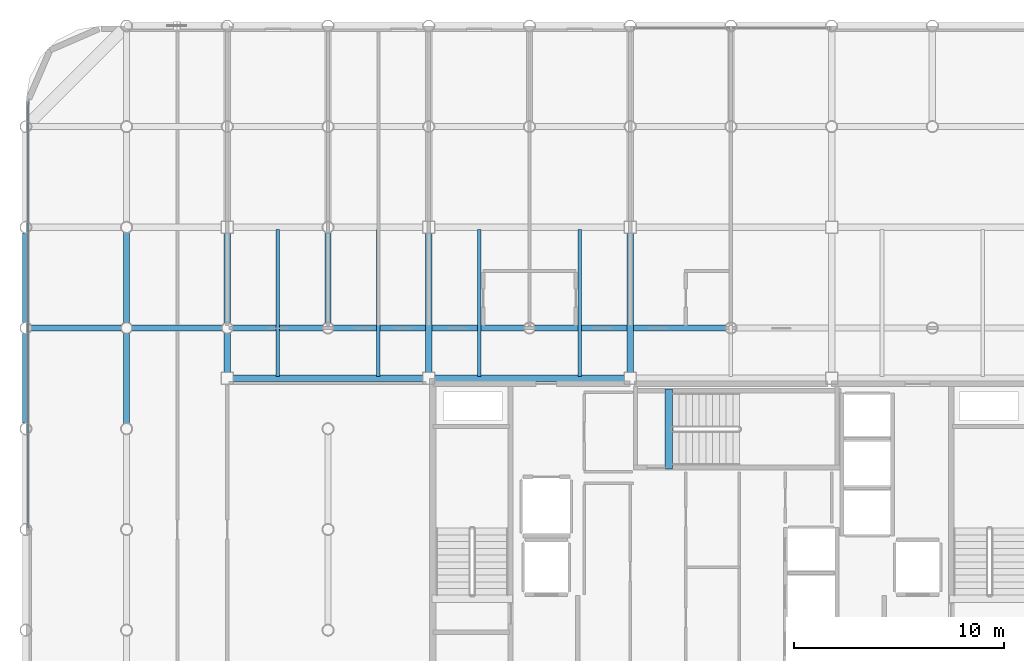
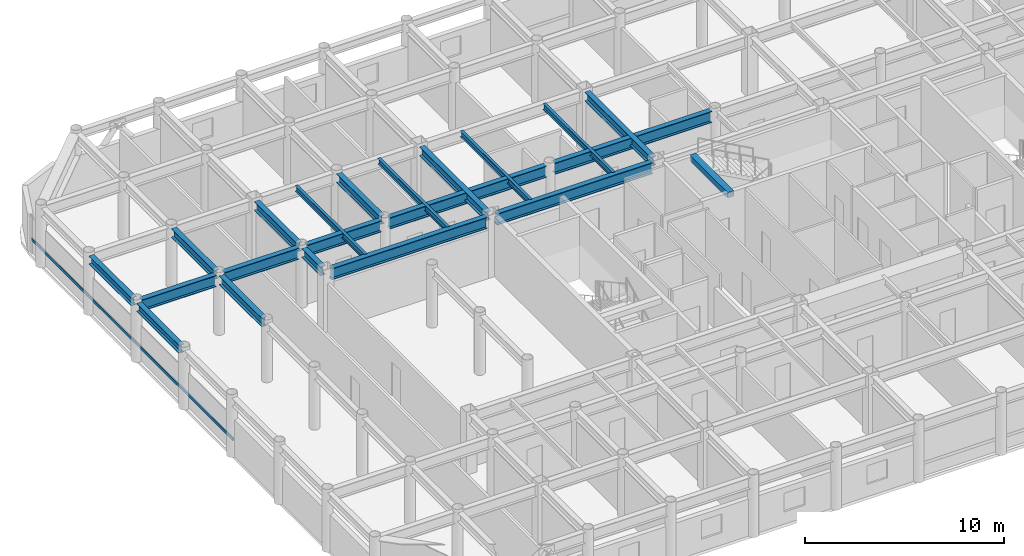
# One storey, part 7 of 22: 21 beams, 1 member, 1 element without a shape of its own.
"""IFC4 building model written with IfcOpenShell, lengths in metres."""

import ifcopenshell
import ifcopenshell.guid

model = None  # the IFC model being written
_history = None  # IfcOwnerHistory: only IFC2X3 demands one
_inside = {}  # id of a spatial element -> (the spatial element, [elements in it])
_under = {}  # id of a project, library or spatial element -> (it, [spatial elements below it])
_declared = {}  # id of a project -> (the project, [libraries it declares])
_typed = {}  # id of a type object -> (the type object, [elements of that type])
_made_of = {}  # id of a material, layer set ... -> (it, [elements and type objects made of it])


def new_model(schema):
    """Start an empty IFC model of exactly this schema.

    Asked for "IFC4X3", IfcOpenShell would pick the latest addendum, in which some entities
    have other attributes; the version numbers below select the first issue.
    IFC2X3 requires an IfcOwnerHistory on every rooted entity: one is made here for all.
    """
    global model, _history
    if schema == "IFC4X3":
        model = ifcopenshell.file(schema_version=(4, 3, 0, 0))
    else:
        model = ifcopenshell.file(schema=schema)
    _inside.clear()
    _under.clear()
    _declared.clear()
    _typed.clear()
    _made_of.clear()
    _history = None
    if model.schema == "IFC2X3":
        org = make("IfcOrganization", Name="unknown")
        user = make(
            "IfcPersonAndOrganization",
            ThePerson=make("IfcPerson", FamilyName="unknown"),
            TheOrganization=org,
        )
        app = make(
            "IfcApplication",
            ApplicationDeveloper=org,
            Version="unknown",
            ApplicationFullName="unknown",
            ApplicationIdentifier="unknown",
        )
        _history = make(
            "IfcOwnerHistory",
            OwningUser=user,
            OwningApplication=app,
            ChangeAction="ADDED",
            CreationDate=0,
        )
    return model


def make(cls, **values):
    """One entity of the class cls with the attributes given. An attribute that is None is left unset."""
    return model.create_entity(
        cls, **{name: value for name, value in values.items() if value is not None}
    )


def rooted(cls, **values):
    """An entity with a GlobalId (a new one), such as an element, a storey or a relation."""
    return make(cls, GlobalId=ifcopenshell.guid.new(), OwnerHistory=_history, **values)


def si_unit(unit_type, name, prefix=None):
    """IfcSIUnit, for example si_unit("LENGTHUNIT", "METRE", prefix="MILLI")."""
    return make("IfcSIUnit", UnitType=unit_type, Prefix=prefix, Name=name)


def assignment(units):
    """IfcUnitAssignment: the units of a project."""
    return None if units is None else make("IfcUnitAssignment", Units=units)


def point(xyz):
    """IfcCartesianPoint."""
    return None if xyz is None else make("IfcCartesianPoint", Coordinates=xyz)


def direction(xyz):
    """IfcDirection."""
    return None if xyz is None else make("IfcDirection", DirectionRatios=xyz)


def frame(location, z_axis=None, x_axis=None):
    """IfcAxis2Placement3D, a coordinate frame: its origin and axes. An axis left out is left unset."""
    return make(
        "IfcAxis2Placement3D",
        Location=point(location),
        Axis=direction(z_axis),
        RefDirection=direction(x_axis),
    )


def frame_2d(location, x_axis=None):
    """IfcAxis2Placement2D, a coordinate frame in the plane: its origin and x axis."""
    return make(
        "IfcAxis2Placement2D", Location=point(location), RefDirection=direction(x_axis)
    )


def origin():
    """The frame at (0, 0, 0) with its axes left unset."""
    return frame((0.0, 0.0, 0.0))


def origin_2d():
    """The frame at (0, 0) in the plane with its x axis left unset."""
    return frame_2d((0.0, 0.0))


def place(relative_to, where):
    """IfcLocalPlacement: puts the frame where relative to a parent placement (None: the world)."""
    return make(
        "IfcLocalPlacement", PlacementRelTo=relative_to, RelativePlacement=where
    )


def context(
    kind, dimensions, precision=None, world=None, true_north=None, identifier=None
):
    """IfcGeometricRepresentationContext, for example the 3D "Model" context."""
    return make(
        "IfcGeometricRepresentationContext",
        ContextIdentifier=identifier,
        ContextType=kind,
        CoordinateSpaceDimension=dimensions,
        Precision=precision,
        WorldCoordinateSystem=world,
        TrueNorth=true_north,
    )


def subcontext(parent, identifier, kind, view, scale=None):
    """IfcGeometricRepresentationSubContext, for example "Body" below "Model"."""
    return make(
        "IfcGeometricRepresentationSubContext",
        ContextIdentifier=identifier,
        ContextType=kind,
        ParentContext=parent,
        TargetScale=scale,
        TargetView=view,
    )


def project(units=None, contexts=None):
    """IfcProject with its units and contexts."""
    return rooted(
        "IfcProject",
        Name="project",
        RepresentationContexts=contexts,
        UnitsInContext=assignment(units),
    )


def spatial(cls, under=None, at=None, **own):
    """A site, building, storey or space (cls), placed at a placement, below another one or the project."""
    s = rooted(cls, ObjectPlacement=at, **own)
    if under is not None:
        _under.setdefault(under.id(), (under, []))[1].append(s)
    return s


def profile(cls, at=None, kind="AREA", **sizes):
    """A parametric profile (cls). Its sizes go by their IFC names, for example OverallWidth=200.0."""
    return make(cls, ProfileType=kind, Position=at, **sizes)


def rectangle(**sizes):
    """IfcRectangleProfileDef."""
    return profile("IfcRectangleProfileDef", **sizes)


def hollow_rectangle(**sizes):
    """IfcRectangleHollowProfileDef."""
    return profile("IfcRectangleHollowProfileDef", **sizes)


def i_section(**sizes):
    """IfcIShapeProfileDef."""
    return profile("IfcIShapeProfileDef", **sizes)


def extrude(swept, where, along, depth):
    """IfcExtrudedAreaSolid: the profile swept, set in the frame where, extruded along a direction by depth."""
    return make(
        "IfcExtrudedAreaSolid",
        SweptArea=swept,
        Position=where,
        ExtrudedDirection=direction(along),
        Depth=depth,
    )


def shape(context_of_items, identifier, shape_type, items):
    """IfcShapeRepresentation: the items that make up one representation, for example the "Body"."""
    return make(
        "IfcShapeRepresentation",
        ContextOfItems=context_of_items,
        RepresentationIdentifier=identifier,
        RepresentationType=shape_type,
        Items=items,
    )


def material(Name=None, Category=None):
    """IfcMaterial."""
    return make("IfcMaterial", Name=Name, Category=Category)


def layer(
    of_material, thickness, ventilated=None, Name=None, Category=None, Priority=None
):
    """IfcMaterialLayer: one layer of a wall or slab, of a material (None: an air gap)."""
    return make(
        "IfcMaterialLayer",
        Material=of_material,
        LayerThickness=thickness,
        IsVentilated=ventilated,
        Name=Name,
        Category=Category,
        Priority=Priority,
    )


def layer_set(layers, Name=None):
    """IfcMaterialLayerSet."""
    return make("IfcMaterialLayerSet", MaterialLayers=layers, LayerSetName=Name)


def material_profile(
    of_material, cross_section, Name=None, Category=None, Priority=None
):
    """IfcMaterialProfile: a cross section and its material."""
    return make(
        "IfcMaterialProfile",
        Name=Name,
        Material=of_material,
        Profile=cross_section,
        Priority=Priority,
        Category=Category,
    )


def profile_set(profiles, Name=None, composite=None):
    """IfcMaterialProfileSet."""
    return make(
        "IfcMaterialProfileSet",
        Name=Name,
        MaterialProfiles=profiles,
        CompositeProfile=composite,
    )


def made_of(thing, what):
    """Note that an element or type object is made of a material, layer set ...; save() writes the relation."""
    if what is not None:
        _made_of.setdefault(what.id(), (what, []))[1].append(thing)
    return thing


def type_object(cls, material=None, **own):
    """A type object (cls), such as IfcWallType, which elements share."""
    return made_of(rooted(cls, **own), material)


def element(
    cls,
    number,
    at=None,
    inside=None,
    cuts=None,
    type_object=None,
    material=None,
    context=None,
    identifier="Body",
    shape_type=None,
    held_by="IfcProductDefinitionShape",
    body=None,
    shapes=None,
    **own,
):
    """One element of the class cls, such as IfcWall. Its Tag is "e" and its number.

    at: its placement. inside: the storey or other place that contains it. cuts: it is an
    opening in that element (IfcRelVoidsElement). A single representation is given by context,
    identifier, shape_type and body (its items); several are given by shapes. held_by: the class
    of the entity that holds the representations. save() writes the other relations.
    """
    e = rooted(cls, Tag="e%d" % number, ObjectPlacement=at, **own)
    if body is not None:
        shapes = [shape(context, identifier, shape_type, body)]
    if shapes is not None:
        e.Representation = make(held_by, Representations=shapes)
    if inside is not None:
        _inside.setdefault(inside.id(), (inside, []))[1].append(e)
    if cuts is not None:
        rooted(
            "IfcRelVoidsElement", RelatingBuildingElement=cuts, RelatedOpeningElement=e
        )
    if type_object is not None:
        _typed.setdefault(type_object.id(), (type_object, []))[1].append(e)
    return made_of(e, material)


def aggregate(whole, parts):
    """IfcRelAggregates: a whole, such as a stair, and the parts it consists of."""
    return rooted("IfcRelAggregates", RelatingObject=whole, RelatedObjects=parts)


def save(model, path):
    """Write the relations noted so far, then the file.

    IfcRelAggregates (storeys below a building ...), IfcRelContainedInSpatialStructure (elements
    in a storey), IfcRelDefinesByType, IfcRelAssociatesMaterial and IfcRelDeclares: one each for
    every whole, place, type object, material and project.
    """
    for whole, parts in _under.values():
        aggregate(whole, parts)
    for where, things in _inside.values():
        rooted(
            "IfcRelContainedInSpatialStructure",
            RelatedElements=things,
            RelatingStructure=where,
        )
    for kind, things in _typed.values():
        rooted("IfcRelDefinesByType", RelatedObjects=things, RelatingType=kind)
    for what, things in _made_of.values():
        rooted("IfcRelAssociatesMaterial", RelatedObjects=things, RelatingMaterial=what)
    for by, libraries in _declared.values():
        rooted("IfcRelDeclares", RelatingContext=by, RelatedDefinitions=libraries)
    model.write(path)


model = new_model("IFC4")

# Units and contexts
model_context = context("Model", 3, precision=1e-05, world=origin(), true_north=direction((0.0, 1.0)))
body_context = subcontext(model_context, "Body", "Model", "MODEL_VIEW")
ifc_project = project(units=[si_unit("LENGTHUNIT", "METRE"), si_unit("AREAUNIT", "SQUARE_METRE"), si_unit("VOLUMEUNIT", "CUBIC_METRE"), si_unit("PLANEANGLEUNIT", "RADIAN"), si_unit("MASSUNIT", "GRAM", prefix="KILO")], contexts=[model_context])

# Site, building, storey
site_placement = place(None, origin())
site = spatial("IfcSite", under=ifc_project, at=site_placement, CompositionType="ELEMENT")
building_placement = place(site_placement, origin())
building = spatial("IfcBuilding", under=site, at=building_placement, Name="Kallvorn Hotel Tower", CompositionType="ELEMENT")
storey_placement = place(building_placement, frame((0.0, 0.0, 256.949951171875)))
storey = spatial("IfcBuildingStorey", under=building, at=storey_placement, Name="L64", CompositionType="ELEMENT", Elevation=256.949951171875)

# Beams
ifc_material_1 = material(Name="Structural steel S355JR", Category="steel")
ifc_material_profile_1 = material_profile(ifc_material_1, i_section(OverallWidth=0.300048828125, OverallDepth=0.5, WebThickness=0.014404296875, FlangeThickness=0.028076171875, at=origin_2d()), Name="HE 500 B")
ifc_profile_set_1 = profile_set([ifc_material_profile_1], Name="Structural steel S355JR")
beam_type_1 = type_object("IfcBeamType", Name="BM_HE500B", PredefinedType="SPANDREL", material=ifc_profile_set_1)
beam_1_placement = place(storey_placement, frame((-33.60009765625, 5.069580078125, 3.420166015625), z_axis=(0.0, 1.0, 0.0), x_axis=(-1.0, 0.0, 0.0)))
element("IfcBeam", 1, at=beam_1_placement, inside=storey, type_object=beam_type_1, Name="L65 Perimeter Spandrel 178", PredefinedType="SPANDREL", context=body_context, shape_type="SweptSolid", body=[
    extrude(i_section(OverallWidth=0.300048828125, OverallDepth=0.5, WebThickness=0.014404296875, FlangeThickness=0.028076171875, at=origin_2d()), origin(), (0.0, 0.0, 1.0), 4.260986328125),
])
beam_2_placement = place(storey_placement, frame((-33.60009765625, 9.869384765625, 3.420166015625), z_axis=(0.0, 1.0, 0.0), x_axis=(-1.0, 0.0, 0.0)))
element("IfcBeam", 2, at=beam_2_placement, inside=storey, type_object=beam_type_1, Name="L65 Perimeter Spandrel 179", PredefinedType="SPANDREL", context=body_context, shape_type="SweptSolid", body=[
    extrude(i_section(OverallWidth=0.300048828125, OverallDepth=0.5, WebThickness=0.014404296875, FlangeThickness=0.028076171875, at=origin_2d()), origin(), (0.0, 0.0, 1.0), 4.26123046875),
])
ifc_material_2 = material(Name="Structural steel S355JR", Category="steel")
ifc_material_profile_2 = material_profile(ifc_material_2, i_section(OverallWidth=0.300048828125, OverallDepth=0.550048828125, WebThickness=0.014892578125, FlangeThickness=0.029052734375, at=origin_2d()), Name="HE 550 B")
ifc_profile_set_2 = profile_set([ifc_material_profile_2], Name="Structural steel S355JR")
beam_type_2 = type_object("IfcBeamType", Name="BM_HE550B", PredefinedType="SPANDREL", material=ifc_profile_set_2)
for number, where, z_axis, x_axis, name in (
    (3, (-28.800048828125, 5.054443359375, 3.39501953125), (0.0, 1.0, 0.0), (-1.0, 0.0, 0.0), "L65 Primary Y-Girder 78"),
    (4, (-28.800048828125, 9.8544921875, 3.39501953125), (0.0, 1.0, 0.0), (-1.0, 0.0, 0.0), "L65 Primary Y-Girder 79"),
):
    element("IfcBeam", number, at=place(storey_placement, frame(where, z_axis=z_axis, x_axis=x_axis)), inside=storey, type_object=beam_type_2, Name=name, PredefinedType="SPANDREL", context=body_context, shape_type="SweptSolid", body=[
        extrude(i_section(OverallWidth=0.300048828125, OverallDepth=0.550048828125, WebThickness=0.014892578125, FlangeThickness=0.029052734375, at=origin_2d()), origin(), (0.0, 0.0, 1.0), 4.291015625),
    ])
beam_3_placement = place(storey_placement, frame((-24.0, 7.47509765625, 3.39501953125), z_axis=(0.0, 1.0, 0.0), x_axis=(-1.0, 0.0, 0.0)))
element("IfcBeam", 5, at=beam_3_placement, inside=storey, type_object=beam_type_2, Name="L65 Primary Y-Girder 85", PredefinedType="SPANDREL", context=body_context, shape_type="SweptSolid", body=[
    extrude(i_section(OverallWidth=0.300048828125, OverallDepth=0.550048828125, WebThickness=0.014892578125, FlangeThickness=0.029052734375, at=origin_2d()), origin(), (0.0, 0.0, 1.0), 1.870361328125),
])
beam_4_placement = place(storey_placement, frame((-24.0, 9.8544921875, 3.39501953125), z_axis=(0.0, 1.0, 0.0), x_axis=(-1.0, 0.0, 0.0)))
element("IfcBeam", 6, at=beam_4_placement, inside=storey, type_object=beam_type_2, Name="L65 Primary Y-Girder 86", PredefinedType="SPANDREL", context=body_context, shape_type="SweptSolid", body=[
    extrude(i_section(OverallWidth=0.300048828125, OverallDepth=0.550048828125, WebThickness=0.014892578125, FlangeThickness=0.029052734375, at=origin_2d()), origin(), (0.0, 0.0, 1.0), 4.2705078125),
])
beam_5_placement = place(storey_placement, frame((-19.199951171875, 9.8544921875, 3.39501953125), z_axis=(0.0, 1.0, 0.0), x_axis=(-1.0, 0.0, 0.0)))
element("IfcBeam", 7, at=beam_5_placement, inside=storey, type_object=beam_type_2, Name="L65 Primary Y-Girder 95", PredefinedType="SPANDREL", context=body_context, shape_type="SweptSolid", body=[
    extrude(i_section(OverallWidth=0.300048828125, OverallDepth=0.550048828125, WebThickness=0.014892578125, FlangeThickness=0.029052734375, at=origin_2d()), origin(), (0.0, 0.0, 1.0), 4.291015625),
])
for number, where, z_axis, x_axis, name in (
    (8, (-14.39990234375, 7.47509765625, 3.39501953125), (0.0, 1.0, 0.0), (-1.0, 0.0, 0.0), "L65 Primary Y-Girder 100"),
    (9, (-4.800048828125, 7.47509765625, 3.39501953125), (0.0, 1.0, 0.0), (-1.0, 0.0, 0.0), "L65 Primary Y-Girder 108"),
):
    element("IfcBeam", number, at=place(storey_placement, frame(where, z_axis=z_axis, x_axis=x_axis)), inside=storey, type_object=beam_type_2, Name=name, PredefinedType="SPANDREL", context=body_context, shape_type="SweptSolid", body=[
        extrude(i_section(OverallWidth=0.300048828125, OverallDepth=0.550048828125, WebThickness=0.014892578125, FlangeThickness=0.029052734375, at=origin_2d()), origin(), (0.0, 0.0, 1.0), 6.64990234375),
    ])
ifc_material_3 = material(Name="Structural steel S355JR", Category="steel")
ifc_material_profile_3 = material_profile(ifc_material_3, i_section(OverallWidth=0.300048828125, OverallDepth=0.699951171875, WebThickness=0.01708984375, FlangeThickness=0.031982421875, at=origin_2d()), Name="HE 700 B")
ifc_profile_set_3 = profile_set([ifc_material_profile_3], Name="Structural steel S355JR")
beam_type_3 = type_object("IfcBeamType", Name="BM_HE700B", PredefinedType="BEAM", material=ifc_profile_set_3)
for number, where, z_axis, x_axis, name in (
    (10, (-23.72509765625, 7.199951171875, 3.320068359375), (1.0, 0.0, 0.0), (0.0, 1.0, 0.0), "L65 Primary X-Girder 36"),
    (11, (-14.125, 7.199951171875, 3.320068359375), (1.0, 0.0, 0.0), (0.0, 1.0, 0.0), "L65 Primary X-Girder 37"),
):
    element("IfcBeam", number, at=place(storey_placement, frame(where, z_axis=z_axis, x_axis=x_axis)), inside=storey, type_object=beam_type_3, Name=name, PredefinedType="BEAM", context=body_context, shape_type="SweptSolid", body=[
        extrude(i_section(OverallWidth=0.300048828125, OverallDepth=0.699951171875, WebThickness=0.01708984375, FlangeThickness=0.031982421875, at=origin_2d()), origin(), (0.0, 0.0, 1.0), 9.050048828125),
    ])
for number, where, z_axis, x_axis, name in (
    (12, (-33.345458984375, 9.60009765625, 3.320068359375), (1.0, 0.0, 0.0), (0.0, 1.0, 0.0), "L65 Primary X-Girder 41"),
    (13, (-28.54541015625, 9.60009765625, 3.320068359375), (1.0, 0.0, 0.0), (0.0, 1.0, 0.0), "L65 Primary X-Girder 42"),
    (14, (-23.74560546875, 9.60009765625, 3.320068359375), (1.0, 0.0, 0.0), (0.0, 1.0, 0.0), "L65 Primary X-Girder 43"),
):
    element("IfcBeam", number, at=place(storey_placement, frame(where, z_axis=z_axis, x_axis=x_axis)), inside=storey, type_object=beam_type_3, Name=name, PredefinedType="BEAM", context=body_context, shape_type="SweptSolid", body=[
        extrude(i_section(OverallWidth=0.300048828125, OverallDepth=0.699951171875, WebThickness=0.01708984375, FlangeThickness=0.031982421875, at=origin_2d()), origin(), (0.0, 0.0, 1.0), 4.291015625),
    ])
for number, where, z_axis, x_axis, name in (
    (15, (-18.945556640625, 9.60009765625, 3.320068359375), (1.0, 0.0, 0.0), (0.0, 1.0, 0.0), "L65 Primary X-Girder 44"),
    (16, (-9.345458984375, 9.60009765625, 3.320068359375), (1.0, 0.0, 0.0), (0.0, 1.0, 0.0), "L65 Primary X-Girder 45"),
):
    element("IfcBeam", number, at=place(storey_placement, frame(where, z_axis=z_axis, x_axis=x_axis)), inside=storey, type_object=beam_type_3, Name=name, PredefinedType="BEAM", context=body_context, shape_type="SweptSolid", body=[
        extrude(i_section(OverallWidth=0.300048828125, OverallDepth=0.699951171875, WebThickness=0.01708984375, FlangeThickness=0.031982421875, at=origin_2d()), origin(), (0.0, 0.0, 1.0), 9.091064453125),
    ])
ifc_material_4 = material(Name="Structural steel S355JR", Category="steel")
ifc_material_profile_4 = material_profile(ifc_material_4, i_section(OverallWidth=0.169921875, OverallDepth=0.360107421875, WebThickness=0.008056640625, FlangeThickness=0.0126953125, at=origin_2d()), Name="IPE 360")
ifc_profile_set_4 = profile_set([ifc_material_profile_4], Name="Structural steel S355JR")
beam_type_4 = type_object("IfcBeamType", Name="BM_IPE360", PredefinedType="JOIST", material=ifc_profile_set_4)
for number, where, z_axis, x_axis, name in (
    (17, (-21.60009765625, 7.300048828125, 3.489990234375), (0.0, 1.0, 0.0), (-1.0, 0.0, 0.0), "L65 Secondary Composite Joist 193"),
    (18, (-16.800048828125, 7.300048828125, 3.489990234375), (0.0, 1.0, 0.0), (-1.0, 0.0, 0.0), "L65 Secondary Composite Joist 195"),
    (19, (-12.0, 7.300048828125, 3.489990234375), (0.0, 1.0, 0.0), (-1.0, 0.0, 0.0), "L65 Secondary Composite Joist 197"),
    (20, (-7.199951171875, 7.300048828125, 3.489990234375), (0.0, 1.0, 0.0), (-1.0, 0.0, 0.0), "L65 Secondary Composite Joist 199"),
):
    element("IfcBeam", number, at=place(storey_placement, frame(where, z_axis=z_axis, x_axis=x_axis)), inside=storey, type_object=beam_type_4, Name=name, PredefinedType="JOIST", context=body_context, shape_type="SweptSolid", body=[
        extrude(i_section(OverallWidth=0.169921875, OverallDepth=0.360107421875, WebThickness=0.008056640625, FlangeThickness=0.0126953125, at=origin_2d()), origin(), (0.0, 0.0, 1.0), 7.0),
    ])
ifc_material_5 = material(Name="Concrete C50/60", Category="concrete")
ifc_material_profile_5 = material_profile(ifc_material_5, rectangle(XDim=0.360107421875, YDim=0.340087890625, at=origin_2d()), Name="RC 360x340")
ifc_profile_set_5 = profile_set([ifc_material_profile_5], Name="Concrete C50/60")
beam_type_5 = type_object("IfcBeamType", Name="BM_RC_400x360", PredefinedType="BEAM", material=ifc_profile_set_5)
beam_6_placement = place(storey_placement, frame((-2.9599609375, 2.8701171875, 3.5), z_axis=(0.0, 1.0, 0.0), x_axis=(-1.0, 0.0, 0.0)))
element("IfcBeam", 21, at=beam_6_placement, inside=storey, type_object=beam_type_5, Name="L65 Stair ST3 Arrival Trimmer Beam", PredefinedType="BEAM", context=body_context, shape_type="SweptSolid", body=[
    extrude(rectangle(XDim=0.360107421875, YDim=0.340087890625, at=origin_2d()), origin(), (0.0, 0.0, 1.0), 3.81982421875),
])

# Curtain wall, member
ifc_material_6 = material(Name="Thermally broken black-anodised aluminium AA 6063-T6", Category="aluminium")
ifc_layer = layer(ifc_material_6, 0.22998046875)
ifc_layer_set = layer_set([ifc_layer], Name="CW_SYS_5_HOTEL_HIGH")
curtain_wall_type = type_object("IfcCurtainWallType", Name="CW_SYS_5_HOTEL_HIGH", PredefinedType="USERDEFINED", material=ifc_layer_set)
curtain_wall_placement = place(storey_placement, origin())
curtain_wall = element("IfcCurtainWall", 22, at=curtain_wall_placement, inside=storey, type_object=curtain_wall_type, Name="L64 Dark-Glass Curtain Wall CW-L64-WN", ObjectType="UNITISED CURTAIN WALL", PredefinedType="USERDEFINED")
ifc_material_7 = material(Name="Thermally broken black-anodised aluminium AA 6063-T6", Category="aluminium")
ifc_material_profile_6 = material_profile(ifc_material_7, hollow_rectangle(XDim=0.070068359375, YDim=0.179931640625, WallThickness=0.00390625, at=origin_2d()), Name="TRN 180x70")
ifc_profile_set_6 = profile_set([ifc_material_profile_6], Name="Thermally broken black-anodised aluminium AA 6063-T6")
member_type = type_object("IfcMemberType", Name="CW_TRANSOM_180x70", PredefinedType="USERDEFINED", material=ifc_profile_set_6)
member_placement = place(storey_placement, frame((-33.47998046875, 0.06005859375, 0.85009765625), z_axis=(0.0, 1.0, 0.0), x_axis=(-1.0, 0.0, 0.0)))
member = element("IfcMember", 23, at=member_placement, type_object=member_type, Name="CW-L64-WN Transom 00M", ObjectType="TRANSOM", PredefinedType="USERDEFINED", context=body_context, shape_type="SweptSolid", body=[
    extrude(hollow_rectangle(XDim=0.070068359375, YDim=0.179931640625, WallThickness=0.00390625, at=origin_2d()), origin(), (0.0, 0.0, 1.0), 20.300048828125),
])
aggregate(curtain_wall, [member])

save(model, "model.ifc")
